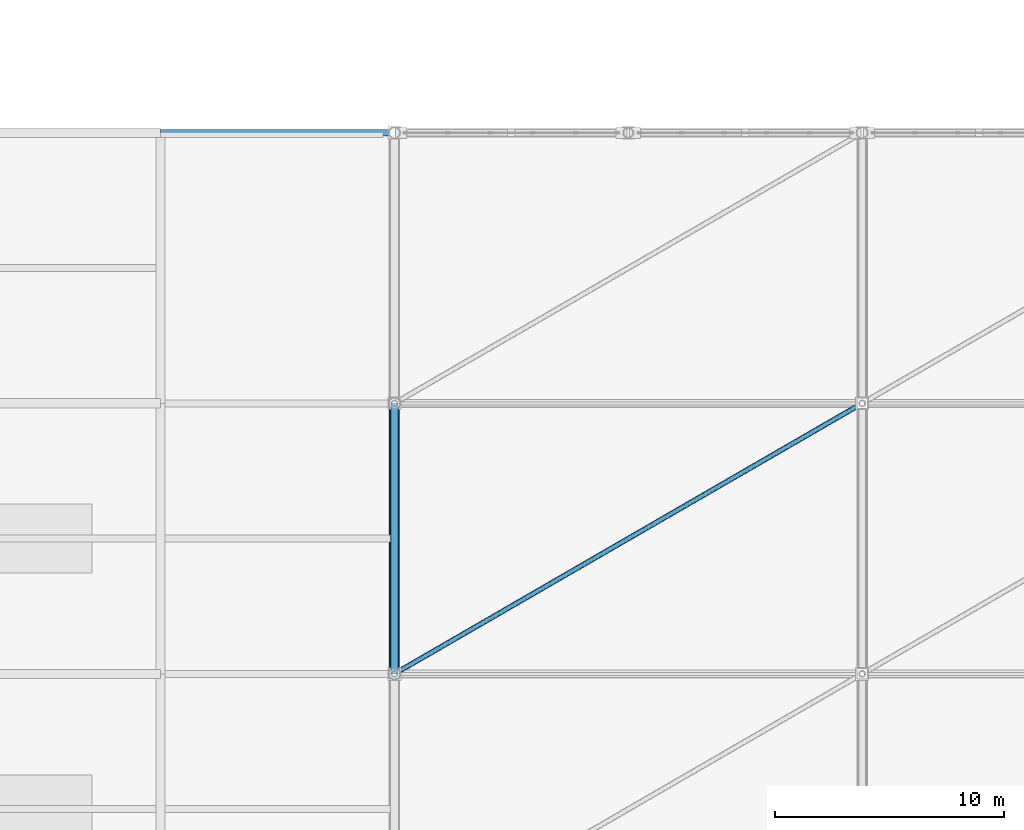
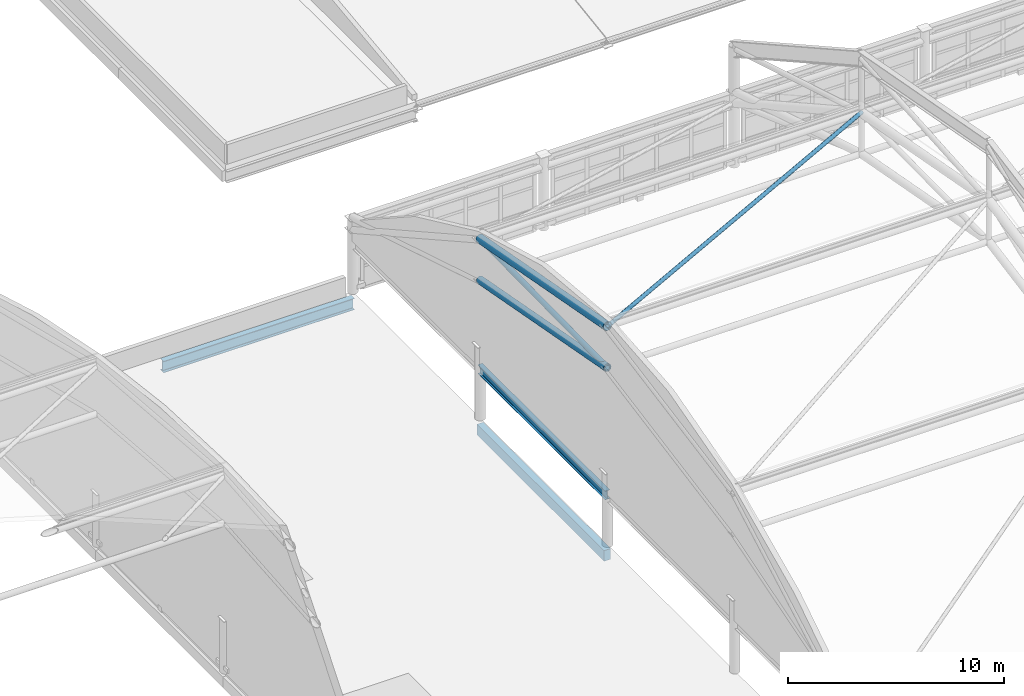
# One storey, part 67 of 135: 4 members, 3 beams.
"""IFC4 building model written with IfcOpenShell, lengths in metres."""

from ifc_helpers import new_model, si_unit, direction, frame, origin, origin_2d, place, context, subcontext, project, spatial, rectangle, hollow_circle, i_section, extrude, material, material_profile, profile_set, type_object, element, save


model = new_model("IFC4")

# Units and contexts
model_context = context("Model", 3, precision=1e-05, world=origin(), true_north=direction((0.0, 1.0)))
body_context = subcontext(model_context, "Body", "Model", "MODEL_VIEW")
ifc_project = project(units=[si_unit("LENGTHUNIT", "METRE"), si_unit("AREAUNIT", "SQUARE_METRE"), si_unit("VOLUMEUNIT", "CUBIC_METRE"), si_unit("PLANEANGLEUNIT", "RADIAN"), si_unit("MASSUNIT", "GRAM", prefix="KILO")], contexts=[model_context])

# Site, building, storey
site_placement = place(None, origin())
site = spatial("IfcSite", under=ifc_project, at=site_placement, CompositionType="ELEMENT")
building_placement = place(site_placement, origin())
building = spatial("IfcBuilding", under=site, at=building_placement, Name="Brelvane Convention Centre", CompositionType="ELEMENT")
storey_placement = place(building_placement, frame((0.0, 0.0, 15.0)))
storey = spatial("IfcBuildingStorey", under=building, at=storey_placement, Name="L03", CompositionType="ELEMENT", Elevation=15.0)

# Beams
ifc_material_1 = material(Name="Concrete M40", Category="concrete")
ifc_material_profile_1 = material_profile(ifc_material_1, rectangle(XDim=0.35009765625, YDim=0.60009765625, at=origin_2d()), Name="RC 350x600")
ifc_profile_set_1 = profile_set([ifc_material_profile_1], Name="Concrete M40")
beam_type_1 = type_object("IfcBeamType", Name="RC Spandrel SP-RC2 (RC 350x600)", PredefinedType="SPANDREL", material=ifc_profile_set_1)
beam_1_placement = place(storey_placement, frame((163.199951171875, 64.199951171875, -0.60009765625), z_axis=(0.0, 1.0, 0.0), x_axis=(-1.0, 0.0, 0.0)))
element("IfcBeam", 1, at=beam_1_placement, inside=storey, type_object=beam_type_1, Name="L03 Girder 17/G-H", PredefinedType="SPANDREL", context=body_context, shape_type="SweptSolid", body=[
    extrude(rectangle(XDim=0.35009765625, YDim=0.60009765625, at=origin_2d()), origin(), (0.0, 0.0, 1.0), 11.800048828125),
])
ifc_material_2 = material(Name="Steel E350 (350 MPa)", Category="steel")
ifc_material_profile_2 = material_profile(ifc_material_2, i_section(OverallWidth=0.300048828125, OverallDepth=0.64990234375, WebThickness=0.014404296875, FlangeThickness=0.02587890625, FilletRadius=0.02392578125, at=origin_2d()), Name="NPB 650x300")
ifc_profile_set_2 = profile_set([ifc_material_profile_2], Name="Steel E350 (350 MPa)")
beam_type_2 = type_object("IfcBeamType", Name="Steel Beam B-ST4 (NPB 650x300)", PredefinedType="BEAM", material=ifc_profile_set_2)
beam_2_placement = place(storey_placement, frame((153.0, 87.800048828125, -0.625), z_axis=(1.0, 0.0, 0.0), x_axis=(0.0, 1.0, 0.0)))
element("IfcBeam", 2, at=beam_2_placement, inside=storey, type_object=beam_type_2, Name="L03 Beam 16-17/J", PredefinedType="BEAM", context=body_context, shape_type="SweptSolid", body=[
    extrude(i_section(OverallWidth=0.300048828125, OverallDepth=0.64990234375, WebThickness=0.014404296875, FlangeThickness=0.02587890625, FilletRadius=0.02392578125, at=origin_2d()), origin(), (0.0, 0.0, 1.0), 10.199951171875),
])

# Members
ifc_material_3 = material(Name="Steel E350 (350 MPa)", Category="steel")
ifc_material_profile_3 = material_profile(ifc_material_3, hollow_circle(Radius=0.136474609375, WallThickness=0.012451171875, at=origin_2d()), Name="CHS 273.0x12.5")
ifc_profile_set_3 = profile_set([ifc_material_profile_3], Name="Steel E350 (350 MPa)")
member_type_1 = type_object("IfcMemberType", Name="Steel Brace SF-DG1 (CHS 273.0x12.5)", PredefinedType="BRACE", material=ifc_profile_set_3)
member_1_placement = place(storey_placement, frame((163.199951171875, 64.199951171875, 10.0), z_axis=(0.0, 0.999929733881, 0.011854421151), x_axis=(-1.0, 0.0, 0.0)))
element("IfcMember", 3, at=member_1_placement, inside=storey, type_object=member_type_1, Name="SF_PLEN Space-Frame Web Diagonal D1.3", PredefinedType="BRACE", context=body_context, shape_type="SweptSolid", body=[
    extrude(hollow_circle(Radius=0.136474609375, WallThickness=0.012451171875, at=origin_2d()), origin(), (0.0, 0.0, 1.0), 11.80078125),
])
ifc_material_4 = material(Name="Steel E350 (350 MPa)", Category="steel")
ifc_material_profile_4 = material_profile(ifc_material_4, hollow_circle(Radius=0.109619140625, WallThickness=0.010009765625, at=origin_2d()), Name="CHS 219.1x10.0")
ifc_profile_set_4 = profile_set([ifc_material_profile_4], Name="Steel E350 (350 MPa)")
member_type_2 = type_object("IfcMemberType", Name="Steel Brace SF-DG2 (CHS 219.1x10.0)", PredefinedType="BRACE", material=ifc_profile_set_4)
member_2_placement = place(storey_placement, frame((163.199951171875, 64.199951171875, 12.340087890625), z_axis=(0.861872716766, 0.498532701677, -0.092954641912), x_axis=(-0.500700562715, 0.865620555727, 0.0)))
element("IfcMember", 4, at=member_2_placement, inside=storey, type_object=member_type_2, Name="SF_PLEN Roof Diaphragm Brace PB1.3", PredefinedType="BRACE", context=body_context, shape_type="SweptSolid", body=[
    extrude(hollow_circle(Radius=0.109619140625, WallThickness=0.010009765625, at=origin_2d()), origin(), (0.0, 0.0, 1.0), 23.669677734375),
])
ifc_material_5 = material(Name="Steel E450 (450 MPa)", Category="steel")
ifc_material_profile_5 = material_profile(ifc_material_5, hollow_circle(Radius=0.203125, WallThickness=0.01611328125, at=origin_2d()), Name="CHS 406.4x16.0")
ifc_profile_set_5 = profile_set([ifc_material_profile_5], Name="Steel E450 (450 MPa)")
member_type_3 = type_object("IfcMemberType", Name="Steel Chord SF-BC1 (CHS 406.4x16.0)", PredefinedType="CHORD", material=ifc_profile_set_5)
member_3_placement = place(storey_placement, frame((163.199951171875, 64.199951171875, 10.0), z_axis=(0.0, 0.983061168522, -0.183277764458), x_axis=(-1.0, 0.0, 0.0)))
element("IfcMember", 5, at=member_3_placement, inside=storey, type_object=member_type_3, Name="SF_PLEN Space-Frame Bottom Chord B1.3", PredefinedType="CHORD", context=body_context, shape_type="SweptSolid", body=[
    extrude(hollow_circle(Radius=0.203125, WallThickness=0.01611328125, at=origin_2d()), origin(), (0.0, 0.0, 1.0), 12.00341796875),
])
ifc_material_6 = material(Name="Steel E450 (450 MPa)", Category="steel")
ifc_material_profile_6 = material_profile(ifc_material_6, hollow_circle(Radius=0.228515625, WallThickness=0.02001953125, at=origin_2d()), Name="CHS 457.0x20.0")
ifc_profile_set_6 = profile_set([ifc_material_profile_6], Name="Steel E450 (450 MPa)")
member_type_4 = type_object("IfcMemberType", Name="Steel Chord SF-TC1 (CHS 457.0x20.0)", PredefinedType="CHORD", material=ifc_profile_set_6)
member_4_placement = place(storey_placement, frame((163.199951171875, 64.199951171875, 12.340087890625), z_axis=(0.0, 0.983057503734, -0.183297420472), x_axis=(-1.0, 0.0, 0.0)))
element("IfcMember", 6, at=member_4_placement, inside=storey, type_object=member_type_4, Name="SF_PLEN Space-Frame Top Chord T1.3", PredefinedType="CHORD", context=body_context, shape_type="SweptSolid", body=[
    extrude(hollow_circle(Radius=0.228515625, WallThickness=0.02001953125, at=origin_2d()), origin(), (0.0, 0.0, 1.0), 12.00341796875),
])

# Beam
ifc_material_7 = material(Name="Steel E350 (350 MPa)", Category="steel")
ifc_material_profile_7 = material_profile(ifc_material_7, i_section(OverallWidth=0.25, OverallDepth=0.5, WebThickness=0.010009765625, FlangeThickness=0.0146484375, FilletRadius=0.01611328125, at=origin_2d()), Name="ISWB 500")
ifc_profile_set_7 = profile_set([ifc_material_profile_7], Name="Steel E350 (350 MPa)")
beam_type_3 = type_object("IfcBeamType", Name="Steel Spandrel SP-ST1 (ISWB 500)", PredefinedType="SPANDREL", material=ifc_profile_set_7)
beam_3_placement = place(storey_placement, frame((163.199951171875, 64.199951171875, 2.800048828125), z_axis=(0.0, 1.0, 0.0), x_axis=(-1.0, 0.0, 0.0)))
element("IfcBeam", 7, at=beam_3_placement, inside=storey, type_object=beam_type_3, Name="Plenary Gable Tie Girder W-3", PredefinedType="SPANDREL", context=body_context, shape_type="SweptSolid", body=[
    extrude(i_section(OverallWidth=0.25, OverallDepth=0.5, WebThickness=0.010009765625, FlangeThickness=0.0146484375, FilletRadius=0.01611328125, at=origin_2d()), origin(), (0.0, 0.0, 1.0), 11.800048828125),
])

save(model, "model.ifc")
